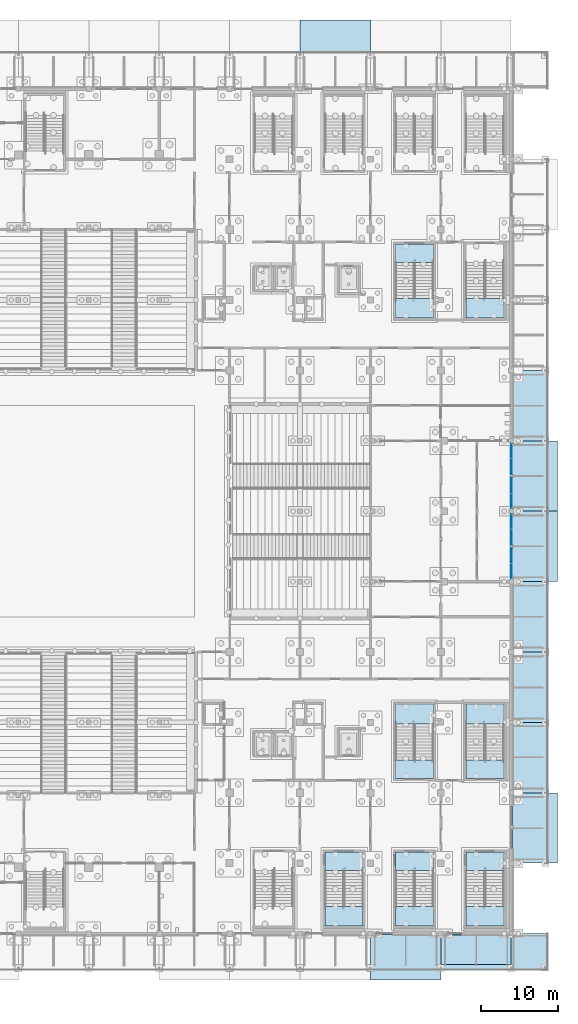
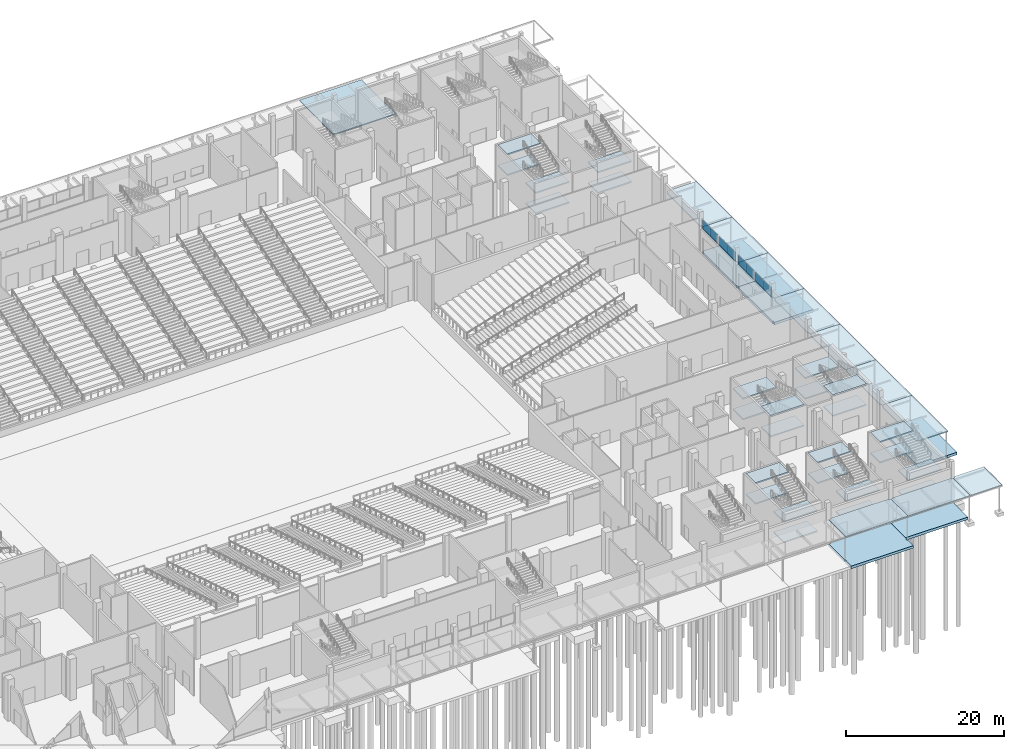
# One storey, part 65 of 129: 42 slabs, 8 plates, 11 elements without a shape of their own.
"""IFC4 building model written with IfcOpenShell, lengths in metres."""

import ifcopenshell
import ifcopenshell.guid

model = None  # the IFC model being written
_history = None  # IfcOwnerHistory: only IFC2X3 demands one
_inside = {}  # id of a spatial element -> (the spatial element, [elements in it])
_under = {}  # id of a project, library or spatial element -> (it, [spatial elements below it])
_declared = {}  # id of a project -> (the project, [libraries it declares])
_typed = {}  # id of a type object -> (the type object, [elements of that type])
_made_of = {}  # id of a material, layer set ... -> (it, [elements and type objects made of it])


def new_model(schema):
    """Start an empty IFC model of exactly this schema.

    Asked for "IFC4X3", IfcOpenShell would pick the latest addendum, in which some entities
    have other attributes; the version numbers below select the first issue.
    IFC2X3 requires an IfcOwnerHistory on every rooted entity: one is made here for all.
    """
    global model, _history
    if schema == "IFC4X3":
        model = ifcopenshell.file(schema_version=(4, 3, 0, 0))
    else:
        model = ifcopenshell.file(schema=schema)
    _inside.clear()
    _under.clear()
    _declared.clear()
    _typed.clear()
    _made_of.clear()
    _history = None
    if model.schema == "IFC2X3":
        org = make("IfcOrganization", Name="unknown")
        user = make(
            "IfcPersonAndOrganization",
            ThePerson=make("IfcPerson", FamilyName="unknown"),
            TheOrganization=org,
        )
        app = make(
            "IfcApplication",
            ApplicationDeveloper=org,
            Version="unknown",
            ApplicationFullName="unknown",
            ApplicationIdentifier="unknown",
        )
        _history = make(
            "IfcOwnerHistory",
            OwningUser=user,
            OwningApplication=app,
            ChangeAction="ADDED",
            CreationDate=0,
        )
    return model


def make(cls, **values):
    """One entity of the class cls with the attributes given. An attribute that is None is left unset."""
    return model.create_entity(
        cls, **{name: value for name, value in values.items() if value is not None}
    )


def rooted(cls, **values):
    """An entity with a GlobalId (a new one), such as an element, a storey or a relation."""
    return make(cls, GlobalId=ifcopenshell.guid.new(), OwnerHistory=_history, **values)


def si_unit(unit_type, name, prefix=None):
    """IfcSIUnit, for example si_unit("LENGTHUNIT", "METRE", prefix="MILLI")."""
    return make("IfcSIUnit", UnitType=unit_type, Prefix=prefix, Name=name)


def assignment(units):
    """IfcUnitAssignment: the units of a project."""
    return None if units is None else make("IfcUnitAssignment", Units=units)


def point(xyz):
    """IfcCartesianPoint."""
    return None if xyz is None else make("IfcCartesianPoint", Coordinates=xyz)


def direction(xyz):
    """IfcDirection."""
    return None if xyz is None else make("IfcDirection", DirectionRatios=xyz)


def frame(location, z_axis=None, x_axis=None):
    """IfcAxis2Placement3D, a coordinate frame: its origin and axes. An axis left out is left unset."""
    return make(
        "IfcAxis2Placement3D",
        Location=point(location),
        Axis=direction(z_axis),
        RefDirection=direction(x_axis),
    )


def frame_2d(location, x_axis=None):
    """IfcAxis2Placement2D, a coordinate frame in the plane: its origin and x axis."""
    return make(
        "IfcAxis2Placement2D", Location=point(location), RefDirection=direction(x_axis)
    )


def origin():
    """The frame at (0, 0, 0) with its axes left unset."""
    return frame((0.0, 0.0, 0.0))


def origin_2d():
    """The frame at (0, 0) in the plane with its x axis left unset."""
    return frame_2d((0.0, 0.0))


def place(relative_to, where):
    """IfcLocalPlacement: puts the frame where relative to a parent placement (None: the world)."""
    return make(
        "IfcLocalPlacement", PlacementRelTo=relative_to, RelativePlacement=where
    )


def context(
    kind, dimensions, precision=None, world=None, true_north=None, identifier=None
):
    """IfcGeometricRepresentationContext, for example the 3D "Model" context."""
    return make(
        "IfcGeometricRepresentationContext",
        ContextIdentifier=identifier,
        ContextType=kind,
        CoordinateSpaceDimension=dimensions,
        Precision=precision,
        WorldCoordinateSystem=world,
        TrueNorth=true_north,
    )


def subcontext(parent, identifier, kind, view, scale=None):
    """IfcGeometricRepresentationSubContext, for example "Body" below "Model"."""
    return make(
        "IfcGeometricRepresentationSubContext",
        ContextIdentifier=identifier,
        ContextType=kind,
        ParentContext=parent,
        TargetScale=scale,
        TargetView=view,
    )


def project(units=None, contexts=None):
    """IfcProject with its units and contexts."""
    return rooted(
        "IfcProject",
        Name="project",
        RepresentationContexts=contexts,
        UnitsInContext=assignment(units),
    )


def spatial(cls, under=None, at=None, **own):
    """A site, building, storey or space (cls), placed at a placement, below another one or the project."""
    s = rooted(cls, ObjectPlacement=at, **own)
    if under is not None:
        _under.setdefault(under.id(), (under, []))[1].append(s)
    return s


def polyline(points):
    """IfcPolyline through the points."""
    return make("IfcPolyline", Points=[point(p) for p in points])


def profile(cls, at=None, kind="AREA", **sizes):
    """A parametric profile (cls). Its sizes go by their IFC names, for example OverallWidth=200.0."""
    return make(cls, ProfileType=kind, Position=at, **sizes)


def rectangle(**sizes):
    """IfcRectangleProfileDef."""
    return profile("IfcRectangleProfileDef", **sizes)


def outline(outer, holes=None, kind="AREA"):
    """IfcArbitraryClosedProfileDef: a profile drawn as a closed curve; with holes, ...WithVoids."""
    if holes is None:
        return make("IfcArbitraryClosedProfileDef", ProfileType=kind, OuterCurve=outer)
    return make(
        "IfcArbitraryProfileDefWithVoids",
        ProfileType=kind,
        OuterCurve=outer,
        InnerCurves=holes,
    )


def extrude(swept, where, along, depth):
    """IfcExtrudedAreaSolid: the profile swept, set in the frame where, extruded along a direction by depth."""
    return make(
        "IfcExtrudedAreaSolid",
        SweptArea=swept,
        Position=where,
        ExtrudedDirection=direction(along),
        Depth=depth,
    )


def shape(context_of_items, identifier, shape_type, items):
    """IfcShapeRepresentation: the items that make up one representation, for example the "Body"."""
    return make(
        "IfcShapeRepresentation",
        ContextOfItems=context_of_items,
        RepresentationIdentifier=identifier,
        RepresentationType=shape_type,
        Items=items,
    )


def material(Name=None, Category=None):
    """IfcMaterial."""
    return make("IfcMaterial", Name=Name, Category=Category)


def layer(
    of_material, thickness, ventilated=None, Name=None, Category=None, Priority=None
):
    """IfcMaterialLayer: one layer of a wall or slab, of a material (None: an air gap)."""
    return make(
        "IfcMaterialLayer",
        Material=of_material,
        LayerThickness=thickness,
        IsVentilated=ventilated,
        Name=Name,
        Category=Category,
        Priority=Priority,
    )


def layer_set(layers, Name=None):
    """IfcMaterialLayerSet."""
    return make("IfcMaterialLayerSet", MaterialLayers=layers, LayerSetName=Name)


def made_of(thing, what):
    """Note that an element or type object is made of a material, layer set ...; save() writes the relation."""
    if what is not None:
        _made_of.setdefault(what.id(), (what, []))[1].append(thing)
    return thing


def type_object(cls, material=None, **own):
    """A type object (cls), such as IfcWallType, which elements share."""
    return made_of(rooted(cls, **own), material)


def element(
    cls,
    number,
    at=None,
    inside=None,
    cuts=None,
    type_object=None,
    material=None,
    context=None,
    identifier="Body",
    shape_type=None,
    held_by="IfcProductDefinitionShape",
    body=None,
    shapes=None,
    **own,
):
    """One element of the class cls, such as IfcWall. Its Tag is "e" and its number.

    at: its placement. inside: the storey or other place that contains it. cuts: it is an
    opening in that element (IfcRelVoidsElement). A single representation is given by context,
    identifier, shape_type and body (its items); several are given by shapes. held_by: the class
    of the entity that holds the representations. save() writes the other relations.
    """
    e = rooted(cls, Tag="e%d" % number, ObjectPlacement=at, **own)
    if body is not None:
        shapes = [shape(context, identifier, shape_type, body)]
    if shapes is not None:
        e.Representation = make(held_by, Representations=shapes)
    if inside is not None:
        _inside.setdefault(inside.id(), (inside, []))[1].append(e)
    if cuts is not None:
        rooted(
            "IfcRelVoidsElement", RelatingBuildingElement=cuts, RelatedOpeningElement=e
        )
    if type_object is not None:
        _typed.setdefault(type_object.id(), (type_object, []))[1].append(e)
    return made_of(e, material)


def aggregate(whole, parts):
    """IfcRelAggregates: a whole, such as a stair, and the parts it consists of."""
    return rooted("IfcRelAggregates", RelatingObject=whole, RelatedObjects=parts)


def save(model, path):
    """Write the relations noted so far, then the file.

    IfcRelAggregates (storeys below a building ...), IfcRelContainedInSpatialStructure (elements
    in a storey), IfcRelDefinesByType, IfcRelAssociatesMaterial and IfcRelDeclares: one each for
    every whole, place, type object, material and project.
    """
    for whole, parts in _under.values():
        aggregate(whole, parts)
    for where, things in _inside.values():
        rooted(
            "IfcRelContainedInSpatialStructure",
            RelatedElements=things,
            RelatingStructure=where,
        )
    for kind, things in _typed.values():
        rooted("IfcRelDefinesByType", RelatedObjects=things, RelatingType=kind)
    for what, things in _made_of.values():
        rooted("IfcRelAssociatesMaterial", RelatedObjects=things, RelatingMaterial=what)
    for by, libraries in _declared.values():
        rooted("IfcRelDeclares", RelatingContext=by, RelatedDefinitions=libraries)
    model.write(path)


model = new_model("IFC4")

# Units and contexts
model_context = context("Model", 3, precision=1e-05, world=origin(), true_north=direction((0.0, 1.0)))
body_context = subcontext(model_context, "Body", "Model", "MODEL_VIEW")
ifc_project = project(units=[si_unit("LENGTHUNIT", "METRE"), si_unit("AREAUNIT", "SQUARE_METRE"), si_unit("VOLUMEUNIT", "CUBIC_METRE"), si_unit("PLANEANGLEUNIT", "RADIAN"), si_unit("MASSUNIT", "GRAM", prefix="KILO")], contexts=[model_context])

# Site, building, storey
site_placement = place(None, origin())
site = spatial("IfcSite", under=ifc_project, at=site_placement, CompositionType="ELEMENT")
building_placement = place(site_placement, origin())
building = spatial("IfcBuilding", under=site, at=building_placement, Name="Shirokan Park Arena", CompositionType="ELEMENT")
storey_placement = place(building_placement, origin())
storey = spatial("IfcBuildingStorey", under=building, at=storey_placement, Name="L00", CompositionType="ELEMENT", Elevation=0.0)

# Slabs
ifc_material_1 = material(Name="Zinc standing seam sheet")
ifc_layer_1 = layer(ifc_material_1, 0.0048828125, Name="Zinc standing seam sheet")
ifc_material_2 = material(Name="Mineral wool insulation")
ifc_layer_2 = layer(ifc_material_2, 0.050048828125, Name="Mineral wool insulation")
ifc_material_3 = material(Name="Cross-laminated timber deck", Category="wood")
ifc_layer_3 = layer(ifc_material_3, 0.094970703125, Name="Cross-laminated timber deck")
ifc_layer_set_1 = layer_set([ifc_layer_1, ifc_layer_2, ifc_layer_3], Name="Zinc standing seam sheet + Mineral wool insulation + Cross-laminated timber deck")
slab_type_1 = type_object("IfcSlabType", Name="Canopy deck 150", PredefinedType="ROOF", material=ifc_layer_set_1)
slab_1_placement = place(storey_placement, frame((0.0, 0.0, 3.60009765625)))
element("IfcSlab", 1, at=slab_1_placement, inside=storey, type_object=slab_type_1, Name="Canopy deck east bay 2", PredefinedType="ROOF", context=body_context, shape_type="SweptSolid", body=[
    extrude(outline(polyline([(145.75, 17.89990234375), (145.89990234375, 17.89990234375), (145.89990234375, 18.199951171875), (150.25, 18.199951171875), (150.25, 9.10009765625), (145.875, 9.10009765625), (145.875, 9.375), (145.75, 9.375), (145.75, 17.89990234375)])), origin(), (0.0, 0.0, 1.0), 0.14990234375),
])
slab_2_placement = place(storey_placement, frame((0.0, 0.0, 3.60009765625)))
element("IfcSlab", 2, at=slab_2_placement, inside=storey, type_object=slab_type_1, Name="Canopy deck east bay 3", PredefinedType="ROOF", context=body_context, shape_type="SweptSolid", body=[
    extrude(outline(polyline([(145.75, 27.050048828125), (145.85009765625, 27.050048828125), (145.85009765625, 27.300048828125), (150.25, 27.300048828125), (150.25, 18.199951171875), (145.89990234375, 18.199951171875), (145.89990234375, 18.5), (145.75, 18.5), (145.75, 27.050048828125)])), origin(), (0.0, 0.0, 1.0), 0.14990234375),
])
slab_3_placement = place(storey_placement, frame((0.0, 0.0, 3.60009765625)))
element("IfcSlab", 3, at=slab_3_placement, inside=storey, type_object=slab_type_1, Name="Canopy deck east bay 4", PredefinedType="ROOF", context=body_context, shape_type="SweptSolid", body=[
    extrude(outline(polyline([(145.75, 36.074951171875), (145.925048828125, 36.074951171875), (145.925048828125, 36.39990234375), (150.25, 36.39990234375), (150.25, 27.300048828125), (145.85009765625, 27.300048828125), (145.85009765625, 27.550048828125), (145.75, 27.550048828125), (145.75, 36.074951171875)])), origin(), (0.0, 0.0, 1.0), 0.14990234375),
])
slab_4_placement = place(storey_placement, frame((0.0, 0.0, 3.60009765625)))
element("IfcSlab", 4, at=slab_4_placement, inside=storey, type_object=slab_type_1, Name="Canopy deck east bay 5", PredefinedType="ROOF", context=body_context, shape_type="SweptSolid", body=[
    extrude(outline(polyline([(145.75, 45.199951171875), (145.89990234375, 45.199951171875), (145.89990234375, 45.5), (150.25, 45.5), (150.25, 36.39990234375), (145.925048828125, 36.39990234375), (145.925048828125, 36.72509765625), (145.75, 36.72509765625), (145.75, 45.199951171875)])), origin(), (0.0, 0.0, 1.0), 0.14990234375),
])
slab_5_placement = place(storey_placement, frame((0.0, 0.0, 3.60009765625)))
element("IfcSlab", 5, at=slab_5_placement, inside=storey, type_object=slab_type_1, Name="Canopy deck east bay 6", PredefinedType="ROOF", context=body_context, shape_type="SweptSolid", body=[
    extrude(outline(polyline([(145.75, 54.300048828125), (145.89990234375, 54.300048828125), (145.89990234375, 54.60009765625), (150.25, 54.60009765625), (150.25, 45.5), (145.89990234375, 45.5), (145.89990234375, 45.800048828125), (145.75, 45.800048828125), (145.75, 54.300048828125)])), origin(), (0.0, 0.0, 1.0), 0.14990234375),
])
slab_6_placement = place(storey_placement, frame((0.0, 0.0, 3.60009765625)))
element("IfcSlab", 6, at=slab_6_placement, inside=storey, type_object=slab_type_1, Name="Canopy deck east bay 7", PredefinedType="ROOF", context=body_context, shape_type="SweptSolid", body=[
    extrude(outline(polyline([(145.75, 63.39990234375), (145.89990234375, 63.39990234375), (145.89990234375, 63.699951171875), (150.25, 63.699951171875), (150.25, 54.60009765625), (145.89990234375, 54.60009765625), (145.89990234375, 54.89990234375), (145.75, 54.89990234375), (145.75, 63.39990234375)])), origin(), (0.0, 0.0, 1.0), 0.14990234375),
])
slab_7_placement = place(storey_placement, frame((0.0, 0.0, 3.60009765625)))
element("IfcSlab", 7, at=slab_7_placement, inside=storey, type_object=slab_type_1, Name="Canopy deck east bay 8", PredefinedType="ROOF", context=body_context, shape_type="SweptSolid", body=[
    extrude(outline(polyline([(145.75, 72.47509765625), (145.925048828125, 72.47509765625), (145.925048828125, 72.800048828125), (150.25, 72.800048828125), (150.25, 63.699951171875), (145.89990234375, 63.699951171875), (145.89990234375, 64.0), (145.75, 64.0), (145.75, 72.47509765625)])), origin(), (0.0, 0.0, 1.0), 0.14990234375),
])
slab_8_placement = place(storey_placement, frame((0.0, 0.0, 3.60009765625)))
element("IfcSlab", 8, at=slab_8_placement, inside=storey, type_object=slab_type_1, Name="Canopy deck south bay 15", PredefinedType="ROOF", context=body_context, shape_type="SweptSolid", body=[
    extrude(outline(polyline([(136.199951171875, -0.14990234375), (136.199951171875, -0.300048828125), (136.5, -0.300048828125), (136.5, -4.64990234375), (127.39990234375, -4.64990234375), (127.39990234375, -0.300048828125), (127.699951171875, -0.300048828125), (127.699951171875, -0.14990234375), (136.199951171875, -0.14990234375)])), origin(), (0.0, 0.0, 1.0), 0.14990234375),
])
slab_9_placement = place(storey_placement, frame((0.0, 0.0, 3.60009765625)))
element("IfcSlab", 9, at=slab_9_placement, inside=storey, type_object=slab_type_1, Name="Canopy deck south bay 16", PredefinedType="ROOF", context=body_context, shape_type="SweptSolid", body=[
    extrude(outline(polyline([(145.35009765625, -0.14990234375), (145.35009765625, -0.25), (145.60009765625, -0.25), (145.60009765625, -4.64990234375), (136.5, -4.64990234375), (136.5, -0.300048828125), (136.800048828125, -0.300048828125), (136.800048828125, -0.14990234375), (145.35009765625, -0.14990234375)])), origin(), (0.0, 0.0, 1.0), 0.14990234375),
])
slab_10_placement = place(storey_placement, frame((0.0, 0.0, 3.60009765625)))
element("IfcSlab", 10, at=slab_10_placement, inside=storey, type_object=slab_type_1, Name="Canopy deck SE corner", PredefinedType="ROOF", context=body_context, shape_type="SweptSolid", body=[
    extrude(outline(polyline([(150.25, 0.0), (150.25, -4.64990234375), (145.60009765625, -4.64990234375), (145.60009765625, -0.25), (145.85009765625, -0.25), (145.85009765625, 0.0), (150.25, 0.0)])), origin(), (0.0, 0.0, 1.0), 0.14990234375),
])

# Curtain wall, plates
ifc_material_4 = material(Name="Steel and glass curtain wall", Category="steel")
ifc_layer_4 = layer(ifc_material_4, 0.199951171875)
ifc_layer_set_2 = layer_set([ifc_layer_4], Name="Steel and glass curtain wall 200 mm")
curtain_wall_type = type_object("IfcCurtainWallType", Name="Curtain wall shopfront bay 200", PredefinedType="NOTDEFINED", material=ifc_layer_set_2)
curtain_wall_1_placement = place(storey_placement, origin())
curtain_wall_1 = element("IfcCurtainWall", 11, at=curtain_wall_1_placement, inside=storey, type_object=curtain_wall_type, Name="Curtain wall east bay 6 L00 clerestory 1", PredefinedType="NOTDEFINED")
ifc_material_5 = material(Name="Toughened glass", Category="glass")
ifc_layer_5 = layer(ifc_material_5, 0.012939453125, Name="Toughened glass")
ifc_material_6 = material(Name="Interlayer film")
ifc_layer_6 = layer(ifc_material_6, 0.001953125, Name="Interlayer film")
ifc_layer_7 = layer(ifc_material_5, 0.012939453125, Name="Toughened glass")
ifc_layer_set_3 = layer_set([ifc_layer_5, ifc_layer_6, ifc_layer_7], Name="Toughened glass + Interlayer film")
plate_type = type_object("IfcPlateType", Name="Laminated glass panel 28", PredefinedType="CURTAIN_PANEL", material=ifc_layer_set_3)
plate_1_placement = place(storey_placement, frame((145.64990234375, 46.84619140625, 3.7900390625), z_axis=(0.0, 0.0, 1.0), x_axis=(0.0, 1.0, 0.0)))
plate_1 = element("IfcPlate", 12, at=plate_1_placement, type_object=plate_type, Name="CW4 panel 1.1", PredefinedType="CURTAIN_PANEL", context=body_context, shape_type="SweptSolid", body=[
    extrude(rectangle(XDim=1.892578125, YDim=0.028076171875, at=origin_2d()), origin(), (0.0, 0.0, 1.0), 1.43994140625),
])
plate_2_placement = place(storey_placement, frame((145.64990234375, 48.8388671875, 3.7900390625), z_axis=(0.0, 0.0, 1.0), x_axis=(0.0, 1.0, 0.0)))
plate_2 = element("IfcPlate", 13, at=plate_2_placement, type_object=plate_type, Name="CW4 panel 2.1", PredefinedType="CURTAIN_PANEL", context=body_context, shape_type="SweptSolid", body=[
    extrude(rectangle(XDim=1.992431640625, YDim=0.028076171875, at=origin_2d()), origin(), (0.0, 0.0, 1.0), 1.43994140625),
])
aggregate(curtain_wall_1, [plate_1, plate_2])

curtain_wall_2_placement = place(storey_placement, origin())
curtain_wall_2 = element("IfcCurtainWall", 14, at=curtain_wall_2_placement, inside=storey, type_object=curtain_wall_type, Name="Curtain wall east bay 6 L00 clerestory 2", PredefinedType="NOTDEFINED")
plate_3_placement = place(storey_placement, frame((145.64990234375, 51.26123046875, 3.7900390625), z_axis=(0.0, 0.0, 1.0), x_axis=(0.0, 1.0, 0.0)))
plate_3 = element("IfcPlate", 15, at=plate_3_placement, type_object=plate_type, Name="CW4 panel 1.1", PredefinedType="CURTAIN_PANEL", context=body_context, shape_type="SweptSolid", body=[
    extrude(rectangle(XDim=1.992431640625, YDim=0.028076171875, at=origin_2d()), origin(), (0.0, 0.0, 1.0), 1.43994140625),
])
plate_4_placement = place(storey_placement, frame((145.64990234375, 53.253662109375, 3.7900390625), z_axis=(0.0, 0.0, 1.0), x_axis=(0.0, 1.0, 0.0)))
plate_4 = element("IfcPlate", 16, at=plate_4_placement, type_object=plate_type, Name="CW4 panel 2.1", PredefinedType="CURTAIN_PANEL", context=body_context, shape_type="SweptSolid", body=[
    extrude(rectangle(XDim=1.892578125, YDim=0.028076171875, at=origin_2d()), origin(), (0.0, 0.0, 1.0), 1.43994140625),
])
aggregate(curtain_wall_2, [plate_3, plate_4])

curtain_wall_3_placement = place(storey_placement, origin())
curtain_wall_3 = element("IfcCurtainWall", 17, at=curtain_wall_3_placement, inside=storey, type_object=curtain_wall_type, Name="Curtain wall east bay 7 L00 clerestory 1", PredefinedType="NOTDEFINED")
plate_5_placement = place(storey_placement, frame((145.64990234375, 55.9462890625, 3.7900390625), z_axis=(0.0, 0.0, 1.0), x_axis=(0.0, 1.0, 0.0)))
plate_5 = element("IfcPlate", 18, at=plate_5_placement, type_object=plate_type, Name="CW4 panel 1.1", PredefinedType="CURTAIN_PANEL", context=body_context, shape_type="SweptSolid", body=[
    extrude(rectangle(XDim=1.892578125, YDim=0.028076171875, at=origin_2d()), origin(), (0.0, 0.0, 1.0), 1.43994140625),
])
plate_6_placement = place(storey_placement, frame((145.64990234375, 57.938720703125, 3.7900390625), z_axis=(0.0, 0.0, 1.0), x_axis=(0.0, 1.0, 0.0)))
plate_6 = element("IfcPlate", 19, at=plate_6_placement, type_object=plate_type, Name="CW4 panel 2.1", PredefinedType="CURTAIN_PANEL", context=body_context, shape_type="SweptSolid", body=[
    extrude(rectangle(XDim=1.992431640625, YDim=0.028076171875, at=origin_2d()), origin(), (0.0, 0.0, 1.0), 1.43994140625),
])
aggregate(curtain_wall_3, [plate_5, plate_6])

curtain_wall_4_placement = place(storey_placement, origin())
curtain_wall_4 = element("IfcCurtainWall", 20, at=curtain_wall_4_placement, inside=storey, type_object=curtain_wall_type, Name="Curtain wall east bay 7 L00 clerestory 2", PredefinedType="NOTDEFINED")
plate_7_placement = place(storey_placement, frame((145.64990234375, 60.361328125, 3.7900390625), z_axis=(0.0, 0.0, 1.0), x_axis=(0.0, 1.0, 0.0)))
plate_7 = element("IfcPlate", 21, at=plate_7_placement, type_object=plate_type, Name="CW4 panel 1.1", PredefinedType="CURTAIN_PANEL", context=body_context, shape_type="SweptSolid", body=[
    extrude(rectangle(XDim=1.992431640625, YDim=0.028076171875, at=origin_2d()), origin(), (0.0, 0.0, 1.0), 1.43994140625),
])
plate_8_placement = place(storey_placement, frame((145.64990234375, 62.353759765625, 3.7900390625), z_axis=(0.0, 0.0, 1.0), x_axis=(0.0, 1.0, 0.0)))
plate_8 = element("IfcPlate", 22, at=plate_8_placement, type_object=plate_type, Name="CW4 panel 2.1", PredefinedType="CURTAIN_PANEL", context=body_context, shape_type="SweptSolid", body=[
    extrude(rectangle(XDim=1.892578125, YDim=0.028076171875, at=origin_2d()), origin(), (0.0, 0.0, 1.0), 1.43994140625),
])
aggregate(curtain_wall_4, [plate_7, plate_8])

# Slabs
ifc_material_7 = material(Name="Concrete paving C30", Category="concrete")
ifc_layer_8 = layer(ifc_material_7, 0.080078125, Name="Concrete paving C30")
ifc_material_8 = material(Name="Compacted aggregate sub-base")
ifc_layer_9 = layer(ifc_material_8, 0.320068359375, Name="Compacted aggregate sub-base")
ifc_layer_set_4 = layer_set([ifc_layer_8, ifc_layer_9], Name="Concrete paving C30 + Compacted aggregate sub-base")
slab_type_2 = type_object("IfcSlabType", Name="Paving slab 400", PredefinedType="FLOOR", material=ifc_layer_set_4)
slab_11_placement = place(storey_placement, frame((0.0, 0.0, -0.39990234375)))
element("IfcSlab", 23, at=slab_11_placement, inside=storey, type_object=slab_type_2, Name="Paving outside south bay 15", PredefinedType="FLOOR", context=body_context, shape_type="SweptSolid", body=[
    extrude(outline(polyline([(136.199951171875, -0.300048828125), (136.5, -0.300048828125), (136.5, -4.324951171875), (136.39990234375, -4.324951171875), (136.39990234375, -4.52490234375), (136.5, -4.52490234375), (136.5, -6.0), (127.39990234375, -6.0), (127.39990234375, -4.52490234375), (127.5, -4.52490234375), (127.5, -4.324951171875), (127.39990234375, -4.324951171875), (127.39990234375, -0.300048828125), (127.699951171875, -0.300048828125), (127.699951171875, -0.199951171875), (136.199951171875, -0.199951171875), (136.199951171875, -0.300048828125)])), origin(), (0.0, 0.0, 1.0), 0.39990234375),
])
slab_12_placement = place(storey_placement, frame((0.0, 0.0, -0.39990234375)))
element("IfcSlab", 24, at=slab_12_placement, inside=storey, type_object=slab_type_2, Name="Paving outside south bay 16", PredefinedType="FLOOR", context=body_context, shape_type="SweptSolid", body=[
    extrude(outline(polyline([(145.35009765625, -0.199951171875), (145.35009765625, -0.25), (145.60009765625, -0.25), (145.60009765625, -4.0), (136.5, -4.0), (136.5, -0.300048828125), (136.800048828125, -0.300048828125), (136.800048828125, -0.199951171875), (145.35009765625, -0.199951171875)])), origin(), (0.0, 0.0, 1.0), 0.39990234375),
])
slab_13_placement = place(storey_placement, frame((0.0, 0.0, -0.39990234375)))
element("IfcSlab", 25, at=slab_13_placement, inside=storey, type_object=slab_type_2, Name="Paving outside east bay 2", PredefinedType="FLOOR", context=body_context, shape_type="SweptSolid", body=[
    extrude(outline(polyline([(145.89990234375, 17.89990234375), (145.89990234375, 18.199951171875), (149.925048828125, 18.199951171875), (149.925048828125, 18.10009765625), (150.125, 18.10009765625), (150.125, 18.199951171875), (151.60009765625, 18.199951171875), (151.60009765625, 9.10009765625), (150.125, 9.10009765625), (150.125, 9.199951171875), (149.925048828125, 9.199951171875), (149.925048828125, 9.10009765625), (145.875, 9.10009765625), (145.875, 9.375), (145.800048828125, 9.375), (145.800048828125, 17.89990234375), (145.89990234375, 17.89990234375)])), origin(), (0.0, 0.0, 1.0), 0.39990234375),
])
slab_14_placement = place(storey_placement, frame((0.0, 0.0, -0.39990234375)))
element("IfcSlab", 26, at=slab_14_placement, inside=storey, type_object=slab_type_2, Name="Paving outside east bay 6", PredefinedType="FLOOR", context=body_context, shape_type="SweptSolid", body=[
    extrude(outline(polyline([(145.89990234375, 54.300048828125), (145.89990234375, 54.60009765625), (149.925048828125, 54.60009765625), (149.925048828125, 54.5), (150.125, 54.5), (150.125, 54.60009765625), (151.60009765625, 54.60009765625), (151.60009765625, 45.5), (150.125, 45.5), (150.125, 45.60009765625), (149.925048828125, 45.60009765625), (149.925048828125, 45.5), (145.89990234375, 45.5), (145.89990234375, 45.800048828125), (145.800048828125, 45.800048828125), (145.800048828125, 54.300048828125), (145.89990234375, 54.300048828125)])), origin(), (0.0, 0.0, 1.0), 0.39990234375),
])
slab_15_placement = place(storey_placement, frame((0.0, 0.0, -0.39990234375)))
element("IfcSlab", 27, at=slab_15_placement, inside=storey, type_object=slab_type_2, Name="Paving outside east bay 7", PredefinedType="FLOOR", context=body_context, shape_type="SweptSolid", body=[
    extrude(outline(polyline([(145.89990234375, 63.39990234375), (145.89990234375, 63.699951171875), (149.925048828125, 63.699951171875), (149.925048828125, 63.60009765625), (150.125, 63.60009765625), (150.125, 63.699951171875), (151.60009765625, 63.699951171875), (151.60009765625, 54.60009765625), (150.125, 54.60009765625), (150.125, 54.699951171875), (149.925048828125, 54.699951171875), (149.925048828125, 54.60009765625), (145.89990234375, 54.60009765625), (145.89990234375, 54.89990234375), (145.800048828125, 54.89990234375), (145.800048828125, 63.39990234375), (145.89990234375, 63.39990234375)])), origin(), (0.0, 0.0, 1.0), 0.39990234375),
])

# Stair, slabs
ifc_material_9 = material(Name="Concrete C30 precast", Category="concrete")
stair_type = type_object("IfcStairType", Name="Stair 52 risers 122 x 385 2400 wide", PredefinedType="DOUBLE_RETURN_STAIR", material=ifc_material_9)
stair_1_placement = place(storey_placement, origin())
stair_1 = element("IfcStair", 28, at=stair_1_placement, inside=storey, type_object=stair_type, Name="Exit Stair 2.A L00 to L01", PredefinedType="DOUBLE_RETURN_STAIR")
ifc_layer_10 = layer(ifc_material_9, 0.199951171875)
ifc_layer_set_5 = layer_set([ifc_layer_10], Name="Concrete C30 precast 200 mm")
slab_type_3 = type_object("IfcSlabType", Name="Stair landing 200", PredefinedType="LANDING", material=ifc_layer_set_5)
slab_16_placement = place(storey_placement, frame((0.0, 0.0, 1.392578125)))
slab_16 = element("IfcSlab", 29, at=slab_16_placement, type_object=slab_type_3, Name="ST04.1 landing 1", PredefinedType="LANDING", context=body_context, shape_type="SweptSolid", body=[
    extrude(outline(polyline([(139.75, 0.949951171875), (144.64990234375, 0.949951171875), (144.64990234375, 3.530029296875), (139.75, 3.530029296875), (139.75, 0.949951171875)])), origin(), (0.0, 0.0, 1.0), 0.199951171875),
])
slab_17_placement = place(storey_placement, frame((0.0, 0.0, 2.985107421875)))
slab_17 = element("IfcSlab", 30, at=slab_17_placement, type_object=slab_type_3, Name="ST04.1 landing 2", PredefinedType="LANDING", context=body_context, shape_type="SweptSolid", body=[
    extrude(outline(polyline([(139.75, 8.14990234375), (144.64990234375, 8.14990234375), (144.64990234375, 10.550048828125), (139.75, 10.550048828125), (139.75, 8.14990234375)])), origin(), (0.0, 0.0, 1.0), 0.199951171875),
])
slab_18_placement = place(storey_placement, frame((0.0, 0.0, 4.577392578125)))
slab_18 = element("IfcSlab", 31, at=slab_18_placement, type_object=slab_type_3, Name="ST04.1 landing 3", PredefinedType="LANDING", context=body_context, shape_type="SweptSolid", body=[
    extrude(outline(polyline([(139.75, 0.949951171875), (144.64990234375, 0.949951171875), (144.64990234375, 3.530029296875), (139.75, 3.530029296875), (139.75, 0.949951171875)])), origin(), (0.0, 0.0, 1.0), 0.2001953125),
])
slab_19_placement = place(storey_placement, frame((0.0, 0.0, 6.169921875)))
slab_19 = element("IfcSlab", 32, at=slab_19_placement, type_object=slab_type_3, Name="ST04.1 landing 4", PredefinedType="LANDING", context=body_context, shape_type="SweptSolid", body=[
    extrude(outline(polyline([(139.75, 8.14990234375), (144.64990234375, 8.14990234375), (144.64990234375, 10.550048828125), (139.75, 10.550048828125), (139.75, 8.14990234375)])), origin(), (0.0, 0.0, 1.0), 0.2001953125),
])
aggregate(stair_1, [slab_16, slab_17, slab_18, slab_19])

stair_2_placement = place(storey_placement, origin())
stair_2 = element("IfcStair", 33, at=stair_2_placement, inside=storey, type_object=stair_type, Name="Exit Stair 2.B L00 to L01", PredefinedType="DOUBLE_RETURN_STAIR")
slab_20_placement = place(storey_placement, frame((0.0, 0.0, 1.392578125)))
slab_20 = element("IfcSlab", 34, at=slab_20_placement, type_object=slab_type_3, Name="ST05.1 landing 1", PredefinedType="LANDING", context=body_context, shape_type="SweptSolid", body=[
    extrude(outline(polyline([(130.64990234375, 0.949951171875), (135.550048828125, 0.949951171875), (135.550048828125, 3.530029296875), (130.64990234375, 3.530029296875), (130.64990234375, 0.949951171875)])), origin(), (0.0, 0.0, 1.0), 0.199951171875),
])
slab_21_placement = place(storey_placement, frame((0.0, 0.0, 2.985107421875)))
slab_21 = element("IfcSlab", 35, at=slab_21_placement, type_object=slab_type_3, Name="ST05.1 landing 2", PredefinedType="LANDING", context=body_context, shape_type="SweptSolid", body=[
    extrude(outline(polyline([(130.64990234375, 8.14990234375), (135.550048828125, 8.14990234375), (135.550048828125, 10.550048828125), (130.64990234375, 10.550048828125), (130.64990234375, 8.14990234375)])), origin(), (0.0, 0.0, 1.0), 0.199951171875),
])
slab_22_placement = place(storey_placement, frame((0.0, 0.0, 4.577392578125)))
slab_22 = element("IfcSlab", 36, at=slab_22_placement, type_object=slab_type_3, Name="ST05.1 landing 3", PredefinedType="LANDING", context=body_context, shape_type="SweptSolid", body=[
    extrude(outline(polyline([(130.64990234375, 0.949951171875), (135.550048828125, 0.949951171875), (135.550048828125, 3.530029296875), (130.64990234375, 3.530029296875), (130.64990234375, 0.949951171875)])), origin(), (0.0, 0.0, 1.0), 0.2001953125),
])
slab_23_placement = place(storey_placement, frame((0.0, 0.0, 6.169921875)))
slab_23 = element("IfcSlab", 37, at=slab_23_placement, type_object=slab_type_3, Name="ST05.1 landing 4", PredefinedType="LANDING", context=body_context, shape_type="SweptSolid", body=[
    extrude(outline(polyline([(130.64990234375, 8.14990234375), (135.550048828125, 8.14990234375), (135.550048828125, 10.550048828125), (130.64990234375, 10.550048828125), (130.64990234375, 8.14990234375)])), origin(), (0.0, 0.0, 1.0), 0.2001953125),
])
aggregate(stair_2, [slab_20, slab_21, slab_22, slab_23])

stair_3_placement = place(storey_placement, origin())
stair_3 = element("IfcStair", 38, at=stair_3_placement, inside=storey, type_object=stair_type, Name="Exit Stair 2.C L00 to L01", PredefinedType="DOUBLE_RETURN_STAIR")
slab_24_placement = place(storey_placement, frame((0.0, 0.0, 1.392578125)))
slab_24 = element("IfcSlab", 39, at=slab_24_placement, type_object=slab_type_3, Name="ST06.1 landing 1", PredefinedType="LANDING", context=body_context, shape_type="SweptSolid", body=[
    extrude(outline(polyline([(121.550048828125, 0.949951171875), (126.449951171875, 0.949951171875), (126.449951171875, 3.530029296875), (121.550048828125, 3.530029296875), (121.550048828125, 0.949951171875)])), origin(), (0.0, 0.0, 1.0), 0.199951171875),
])
slab_25_placement = place(storey_placement, frame((0.0, 0.0, 2.985107421875)))
slab_25 = element("IfcSlab", 40, at=slab_25_placement, type_object=slab_type_3, Name="ST06.1 landing 2", PredefinedType="LANDING", context=body_context, shape_type="SweptSolid", body=[
    extrude(outline(polyline([(121.550048828125, 8.14990234375), (126.449951171875, 8.14990234375), (126.449951171875, 10.550048828125), (121.550048828125, 10.550048828125), (121.550048828125, 8.14990234375)])), origin(), (0.0, 0.0, 1.0), 0.199951171875),
])
slab_26_placement = place(storey_placement, frame((0.0, 0.0, 4.577392578125)))
slab_26 = element("IfcSlab", 41, at=slab_26_placement, type_object=slab_type_3, Name="ST06.1 landing 3", PredefinedType="LANDING", context=body_context, shape_type="SweptSolid", body=[
    extrude(outline(polyline([(121.550048828125, 0.949951171875), (126.449951171875, 0.949951171875), (126.449951171875, 3.530029296875), (121.550048828125, 3.530029296875), (121.550048828125, 0.949951171875)])), origin(), (0.0, 0.0, 1.0), 0.2001953125),
])
slab_27_placement = place(storey_placement, frame((0.0, 0.0, 6.169921875)))
slab_27 = element("IfcSlab", 42, at=slab_27_placement, type_object=slab_type_3, Name="ST06.1 landing 4", PredefinedType="LANDING", context=body_context, shape_type="SweptSolid", body=[
    extrude(outline(polyline([(121.550048828125, 8.14990234375), (126.449951171875, 8.14990234375), (126.449951171875, 10.550048828125), (121.550048828125, 10.550048828125), (121.550048828125, 8.14990234375)])), origin(), (0.0, 0.0, 1.0), 0.2001953125),
])
aggregate(stair_3, [slab_24, slab_25, slab_26, slab_27])

stair_4_placement = place(storey_placement, origin())
stair_4 = element("IfcStair", 43, at=stair_4_placement, inside=storey, type_object=stair_type, Name="Exit Stair 2.E L00 to L01", PredefinedType="DOUBLE_RETURN_STAIR")
slab_28_placement = place(storey_placement, frame((0.0, 0.0, 1.392578125)))
slab_28 = element("IfcSlab", 44, at=slab_28_placement, type_object=slab_type_3, Name="ST08.1 landing 1", PredefinedType="LANDING", context=body_context, shape_type="SweptSolid", body=[
    extrude(outline(polyline([(139.75, 27.070068359375), (144.64990234375, 27.070068359375), (144.64990234375, 29.64990234375), (139.75, 29.64990234375), (139.75, 27.070068359375)])), origin(), (0.0, 0.0, 1.0), 0.199951171875),
])
slab_29_placement = place(storey_placement, frame((0.0, 0.0, 2.985107421875)))
slab_29 = element("IfcSlab", 45, at=slab_29_placement, type_object=slab_type_3, Name="ST08.1 landing 2", PredefinedType="LANDING", context=body_context, shape_type="SweptSolid", body=[
    extrude(outline(polyline([(139.75, 20.050048828125), (144.64990234375, 20.050048828125), (144.64990234375, 22.449951171875), (139.75, 22.449951171875), (139.75, 20.050048828125)])), origin(), (0.0, 0.0, 1.0), 0.199951171875),
])
slab_30_placement = place(storey_placement, frame((0.0, 0.0, 4.577392578125)))
slab_30 = element("IfcSlab", 46, at=slab_30_placement, type_object=slab_type_3, Name="ST08.1 landing 3", PredefinedType="LANDING", context=body_context, shape_type="SweptSolid", body=[
    extrude(outline(polyline([(139.75, 27.070068359375), (144.64990234375, 27.070068359375), (144.64990234375, 29.64990234375), (139.75, 29.64990234375), (139.75, 27.070068359375)])), origin(), (0.0, 0.0, 1.0), 0.2001953125),
])
slab_31_placement = place(storey_placement, frame((0.0, 0.0, 6.169921875)))
slab_31 = element("IfcSlab", 47, at=slab_31_placement, type_object=slab_type_3, Name="ST08.1 landing 4", PredefinedType="LANDING", context=body_context, shape_type="SweptSolid", body=[
    extrude(outline(polyline([(139.75, 20.050048828125), (144.64990234375, 20.050048828125), (144.64990234375, 22.449951171875), (139.75, 22.449951171875), (139.75, 20.050048828125)])), origin(), (0.0, 0.0, 1.0), 0.2001953125),
])
aggregate(stair_4, [slab_28, slab_29, slab_30, slab_31])

stair_5_placement = place(storey_placement, origin())
stair_5 = element("IfcStair", 48, at=stair_5_placement, inside=storey, type_object=stair_type, Name="Exit Stair 2.F L00 to L01", PredefinedType="DOUBLE_RETURN_STAIR")
slab_32_placement = place(storey_placement, frame((0.0, 0.0, 1.392578125)))
slab_32 = element("IfcSlab", 49, at=slab_32_placement, type_object=slab_type_3, Name="ST09.1 landing 1", PredefinedType="LANDING", context=body_context, shape_type="SweptSolid", body=[
    extrude(outline(polyline([(130.64990234375, 27.070068359375), (135.550048828125, 27.070068359375), (135.550048828125, 29.64990234375), (130.64990234375, 29.64990234375), (130.64990234375, 27.070068359375)])), origin(), (0.0, 0.0, 1.0), 0.199951171875),
])
slab_33_placement = place(storey_placement, frame((0.0, 0.0, 2.985107421875)))
slab_33 = element("IfcSlab", 50, at=slab_33_placement, type_object=slab_type_3, Name="ST09.1 landing 2", PredefinedType="LANDING", context=body_context, shape_type="SweptSolid", body=[
    extrude(outline(polyline([(130.64990234375, 20.050048828125), (135.550048828125, 20.050048828125), (135.550048828125, 22.449951171875), (130.64990234375, 22.449951171875), (130.64990234375, 20.050048828125)])), origin(), (0.0, 0.0, 1.0), 0.199951171875),
])
slab_34_placement = place(storey_placement, frame((0.0, 0.0, 4.577392578125)))
slab_34 = element("IfcSlab", 51, at=slab_34_placement, type_object=slab_type_3, Name="ST09.1 landing 3", PredefinedType="LANDING", context=body_context, shape_type="SweptSolid", body=[
    extrude(outline(polyline([(130.64990234375, 27.070068359375), (135.550048828125, 27.070068359375), (135.550048828125, 29.64990234375), (130.64990234375, 29.64990234375), (130.64990234375, 27.070068359375)])), origin(), (0.0, 0.0, 1.0), 0.2001953125),
])
slab_35_placement = place(storey_placement, frame((0.0, 0.0, 6.169921875)))
slab_35 = element("IfcSlab", 52, at=slab_35_placement, type_object=slab_type_3, Name="ST09.1 landing 4", PredefinedType="LANDING", context=body_context, shape_type="SweptSolid", body=[
    extrude(outline(polyline([(130.64990234375, 20.050048828125), (135.550048828125, 20.050048828125), (135.550048828125, 22.449951171875), (130.64990234375, 22.449951171875), (130.64990234375, 20.050048828125)])), origin(), (0.0, 0.0, 1.0), 0.2001953125),
])
aggregate(stair_5, [slab_32, slab_33, slab_34, slab_35])

stair_6_placement = place(storey_placement, origin())
stair_6 = element("IfcStair", 53, at=stair_6_placement, inside=storey, type_object=stair_type, Name="Exit Stair 3.E L00 to L01", PredefinedType="DOUBLE_RETURN_STAIR")
slab_36_placement = place(storey_placement, frame((0.0, 0.0, 1.392578125)))
slab_36 = element("IfcSlab", 54, at=slab_36_placement, type_object=slab_type_3, Name="ST20.1 landing 1", PredefinedType="LANDING", context=body_context, shape_type="SweptSolid", body=[
    extrude(outline(polyline([(139.75, 79.550048828125), (144.64990234375, 79.550048828125), (144.64990234375, 82.1298828125), (139.75, 82.1298828125), (139.75, 79.550048828125)])), origin(), (0.0, 0.0, 1.0), 0.199951171875),
])
slab_37_placement = place(storey_placement, frame((0.0, 0.0, 4.577392578125)))
slab_37 = element("IfcSlab", 55, at=slab_37_placement, type_object=slab_type_3, Name="ST20.1 landing 3", PredefinedType="LANDING", context=body_context, shape_type="SweptSolid", body=[
    extrude(outline(polyline([(139.75, 79.550048828125), (144.64990234375, 79.550048828125), (144.64990234375, 82.1298828125), (139.75, 82.1298828125), (139.75, 79.550048828125)])), origin(), (0.0, 0.0, 1.0), 0.2001953125),
])
aggregate(stair_6, [slab_36, slab_37])

stair_7_placement = place(storey_placement, origin())
stair_7 = element("IfcStair", 56, at=stair_7_placement, inside=storey, type_object=stair_type, Name="Exit Stair 3.F L00 to L01", PredefinedType="DOUBLE_RETURN_STAIR")
slab_38_placement = place(storey_placement, frame((0.0, 0.0, 1.392578125)))
slab_38 = element("IfcSlab", 57, at=slab_38_placement, type_object=slab_type_3, Name="ST21.1 landing 1", PredefinedType="LANDING", context=body_context, shape_type="SweptSolid", body=[
    extrude(outline(polyline([(130.64990234375, 79.550048828125), (135.550048828125, 79.550048828125), (135.550048828125, 82.1298828125), (130.64990234375, 82.1298828125), (130.64990234375, 79.550048828125)])), origin(), (0.0, 0.0, 1.0), 0.199951171875),
])
slab_39_placement = place(storey_placement, frame((0.0, 0.0, 2.985107421875)))
slab_39 = element("IfcSlab", 58, at=slab_39_placement, type_object=slab_type_3, Name="ST21.1 landing 2", PredefinedType="LANDING", context=body_context, shape_type="SweptSolid", body=[
    extrude(outline(polyline([(130.64990234375, 86.75), (135.550048828125, 86.75), (135.550048828125, 89.14990234375), (130.64990234375, 89.14990234375), (130.64990234375, 86.75)])), origin(), (0.0, 0.0, 1.0), 0.199951171875),
])
slab_40_placement = place(storey_placement, frame((0.0, 0.0, 4.577392578125)))
slab_40 = element("IfcSlab", 59, at=slab_40_placement, type_object=slab_type_3, Name="ST21.1 landing 3", PredefinedType="LANDING", context=body_context, shape_type="SweptSolid", body=[
    extrude(outline(polyline([(130.64990234375, 79.550048828125), (135.550048828125, 79.550048828125), (135.550048828125, 82.1298828125), (130.64990234375, 82.1298828125), (130.64990234375, 79.550048828125)])), origin(), (0.0, 0.0, 1.0), 0.2001953125),
])
slab_41_placement = place(storey_placement, frame((0.0, 0.0, 6.169921875)))
slab_41 = element("IfcSlab", 60, at=slab_41_placement, type_object=slab_type_3, Name="ST21.1 landing 4", PredefinedType="LANDING", context=body_context, shape_type="SweptSolid", body=[
    extrude(outline(polyline([(130.64990234375, 86.75), (135.550048828125, 86.75), (135.550048828125, 89.14990234375), (130.64990234375, 89.14990234375), (130.64990234375, 86.75)])), origin(), (0.0, 0.0, 1.0), 0.2001953125),
])
aggregate(stair_7, [slab_38, slab_39, slab_40, slab_41])

# Slab
ifc_material_10 = material(Name="Hardwood decking", Category="wood")
ifc_layer_11 = layer(ifc_material_10, 0.030029296875, Name="Hardwood decking")
ifc_material_11 = material(Name="Timber joists and battens", Category="wood")
ifc_layer_12 = layer(ifc_material_11, 0.10009765625, Name="Timber joists and battens")
ifc_material_12 = material(Name="Waterproofing membrane")
ifc_layer_13 = layer(ifc_material_12, 0.02001953125, Name="Waterproofing membrane")
ifc_layer_set_6 = layer_set([ifc_layer_11, ifc_layer_12, ifc_layer_13], Name="Hardwood decking + Timber joists and battens + Waterproofing membrane")
slab_type_4 = type_object("IfcSlabType", Name="Timber engawa deck 150", PredefinedType="FLOOR", material=ifc_layer_set_6)
slab_42_placement = place(storey_placement, frame((0.0, 0.0, -0.14990234375)))
element("IfcSlab", 61, at=slab_42_placement, inside=storey, type_object=slab_type_4, Name="Engawa deck bay 3", PredefinedType="FLOOR", context=body_context, shape_type="SweptSolid", body=[
    extrude(outline(polyline([(118.574951171875, 109.47509765625), (118.300048828125, 109.47509765625), (118.300048828125, 113.52490234375), (118.39990234375, 113.52490234375), (118.39990234375, 113.72509765625), (118.300048828125, 113.72509765625), (118.300048828125, 118.10009765625), (127.39990234375, 118.10009765625), (127.39990234375, 113.72509765625), (127.300048828125, 113.72509765625), (127.300048828125, 113.52490234375), (127.39990234375, 113.52490234375), (127.39990234375, 109.47509765625), (127.125, 109.47509765625), (127.125, 109.39990234375), (118.574951171875, 109.39990234375), (118.574951171875, 109.47509765625)])), origin(), (0.0, 0.0, 1.0), 0.14990234375),
])

save(model, "model.ifc")
